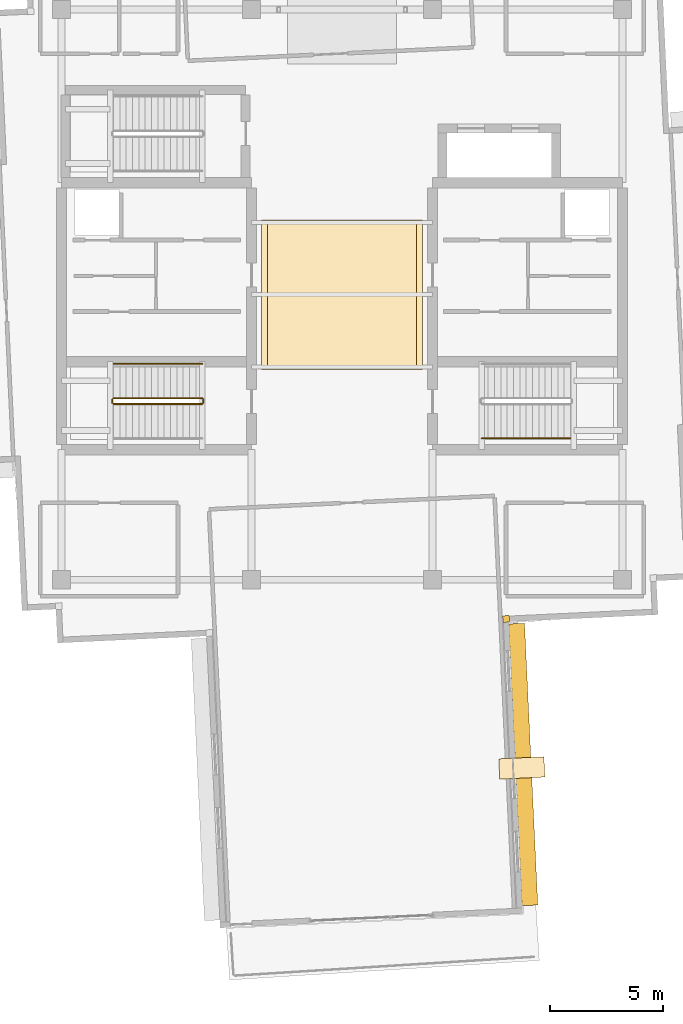
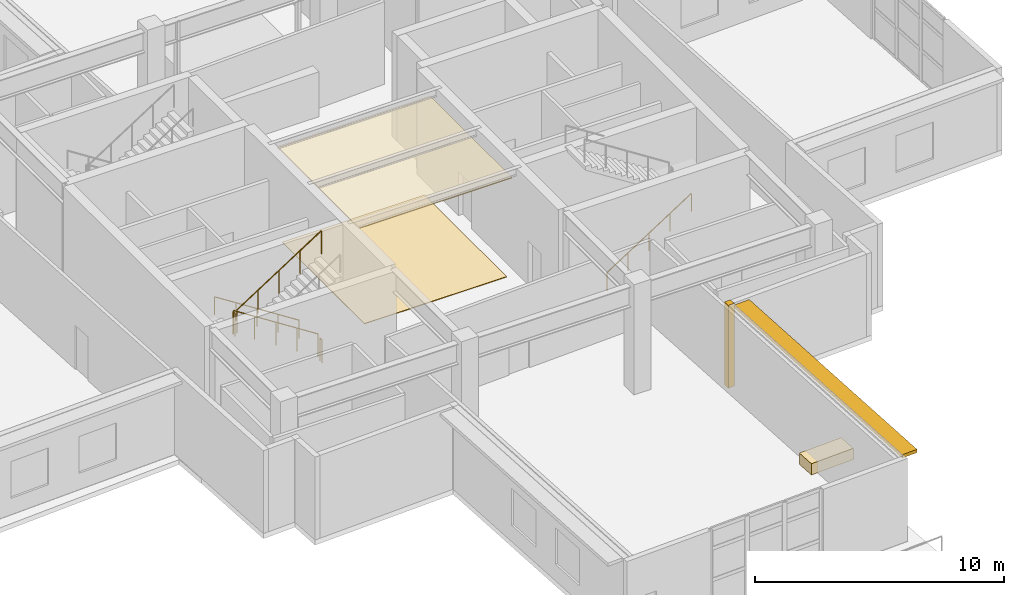
# One storey, part 18 of 22: 6 railings, 4 coverings, 1 shading device.
"""IFC4 building model written with IfcOpenShell, lengths in metres."""

from ifc_helpers import new_model, si_unit, direction, frame, origin, origin_with_axes, origin_2d, place, context, subcontext, project, spatial, rectangle, circle, extrude, material, layer, layer_set, type_object, element, save


model = new_model("IFC4")

# Units and contexts
model_context = context("Model", 3, precision=1e-05, world=origin(), true_north=direction((0.0, 1.0)))
body_context = subcontext(model_context, "Body", "Model", "MODEL_VIEW")
ifc_project = project(units=[si_unit("LENGTHUNIT", "METRE"), si_unit("AREAUNIT", "SQUARE_METRE"), si_unit("VOLUMEUNIT", "CUBIC_METRE"), si_unit("PLANEANGLEUNIT", "RADIAN"), si_unit("MASSUNIT", "GRAM", prefix="KILO")], contexts=[model_context])

# Site, building, storey
site_placement = place(None, origin())
site = spatial("IfcSite", under=ifc_project, at=site_placement, CompositionType="ELEMENT")
building_placement = place(site_placement, origin())
building = spatial("IfcBuilding", under=site, at=building_placement, Name="Qingluan Cross Belvedere", CompositionType="ELEMENT")
storey_placement = place(building_placement, frame((0.0, 0.0, 294.0)))
storey = spatial("IfcBuildingStorey", under=building, at=storey_placement, Name="L73", CompositionType="ELEMENT", Elevation=294.0)

# Coverings
ifc_material_1 = material(Name="Perforated gypsum acoustic ceiling board")
ifc_layer_1 = layer(ifc_material_1, 0.0400390625, Name="AcousticLobbyCeiling_40")
ifc_layer_set_1 = layer_set([ifc_layer_1], Name="Perforated gypsum acoustic ceiling board")
covering_type_1 = type_object("IfcCoveringType", Name="AcousticLobbyCeiling_40", PredefinedType="CEILING", material=ifc_layer_set_1)
covering_1_placement = place(storey_placement, frame((0.0, 0.0, 4.760009765625), z_axis=(0.0, 0.0, 1.0), x_axis=(1.0, 0.0, 0.0)))
element("IfcCovering", 1, at=covering_1_placement, inside=storey, type_object=covering_type_1, Name="Central lobby acoustic ceiling L73", PredefinedType="CEILING", context=body_context, shape_type="SweptSolid", body=[
    extrude(rectangle(XDim=7.10009765625, YDim=6.60009765625, at=origin_2d()), origin(), (0.0, 0.0, 1.0), 0.0400390625),
])
ifc_material_2 = material(Name="Precast concrete C45", Category="concrete")
ifc_layer_2 = layer(ifc_material_2, 0.1201171875, Name="ConcreteSpandrelCladding_120")
ifc_layer_set_2 = layer_set([ifc_layer_2], Name="Precast concrete C45")
covering_type_2 = type_object("IfcCoveringType", Name="ConcreteSpandrelCladding_120", PredefinedType="CLADDING", material=ifc_layer_set_2)
covering_2_placement = place(storey_placement, frame((7.25341796875, -14.334228515625, 0.0), z_axis=(0.0, 0.0, 1.0), x_axis=(0.998889874962, 0.04710645071, 0.0)))
element("IfcCovering", 2, at=covering_2_placement, inside=storey, type_object=covering_type_2, Name="Corner closure L73-SE2", PredefinedType="CLADDING", context=body_context, shape_type="SweptSolid", body=[
    extrude(rectangle(XDim=0.2900390625, YDim=0.2900390625, at=origin_2d()), origin(), (0.0, 0.0, 1.0), 4.06005859375),
])

# Shading device
ifc_material_3 = material(Name="Precast concrete C45", Category="concrete")
ifc_layer_3 = layer(ifc_material_3, 0.139892578125, Name="ConcreteSunshadeBand_700")
ifc_layer_set_3 = layer_set([ifc_layer_3], Name="Precast concrete C45")
shading_device_type = type_object("IfcShadingDeviceType", Name="ConcreteSunshadeBand_700", PredefinedType="USERDEFINED", material=ifc_layer_set_3)
shading_device_placement = place(storey_placement, frame((8.01220703125, -20.765625, 3.8798828125), z_axis=(0.0, 0.0, 1.0), x_axis=(-0.047103529552, 0.998890012716, 0.0)))
element("IfcShadingDevice", 3, at=shading_device_placement, inside=storey, type_object=shading_device_type, Name="Concrete SUNSHADE L73-SB", ObjectType="SUNSHADE", PredefinedType="USERDEFINED", context=body_context, shape_type="SweptSolid", body=[
    extrude(rectangle(XDim=12.469970703125, YDim=0.699951171875, at=origin_2d()), origin(), (0.0, 0.0, 1.0), 0.159912109375),
])

# Covering
ifc_material_4 = material(Name="Honed Hubei grey granite stone flooring", Category="masonry")
ifc_layer_4 = layer(ifc_material_4, 0.030029296875, Name="GraniteLobbyFlooring_30")
ifc_layer_set_4 = layer_set([ifc_layer_4], Name="Honed Hubei grey granite stone flooring")
covering_type_3 = type_object("IfcCoveringType", Name="GraniteLobbyFlooring_30", PredefinedType="FLOORING", material=ifc_layer_set_4)
covering_3_placement = place(storey_placement, origin_with_axes())
element("IfcCovering", 4, at=covering_3_placement, inside=storey, type_object=covering_type_3, Name="Central lobby granite flooring L73", PredefinedType="FLOORING", context=body_context, shape_type="SweptSolid", body=[
    extrude(rectangle(XDim=6.60009765625, YDim=6.60009765625, at=origin_2d()), origin(), (0.0, 0.0, 1.0), 0.030029296875),
])

# Railings
ifc_material_5 = material(Name="Brushed stainless steel tubular handrail", Category="steel")
railing_type_1 = type_object("IfcRailingType", Name="StairPitchHandrail_900", PredefinedType="HANDRAIL", material=ifc_material_5)
railing_1_placement = place(storey_placement, frame((-6.179931640625, -3.050048828125, 0.179931640625)))
element("IfcRailing", 5, at=railing_1_placement, inside=storey, type_object=railing_type_1, Name="L73 ST1 stair handrail 1", PredefinedType="HANDRAIL", context=body_context, shape_type="SweptSolid", body=[
    extrude(circle(Radius=0.02392578125, at=origin_2d()), frame((0.0, 0.0, 0.8759765625), z_axis=(-0.841186985886, 0.0, 0.540744352514), x_axis=(0.0, -1.0, 0.0)), (0.0, 0.0, 1.0), 4.660400390625),
    extrude(circle(Radius=0.02099609375, at=origin_2d()), origin(), (0.0, 0.0, 1.0), 0.851806640625),
    extrude(circle(Radius=0.02099609375, at=origin_2d()), frame((-0.97998046875, 0.0, 0.6298828125)), (0.0, 0.0, 1.0), 0.851806640625),
    extrude(circle(Radius=0.02099609375, at=origin_2d()), frame((-1.9599609375, 0.0, 1.260009765625)), (0.0, 0.0, 1.0), 0.851806640625),
    extrude(circle(Radius=0.02099609375, at=origin_2d()), frame((-2.940185546875, 0.0, 1.89013671875)), (0.0, 0.0, 1.0), 0.851806640625),
    extrude(circle(Radius=0.02099609375, at=origin_2d()), frame((-3.920166015625, 0.0, 2.52001953125)), (0.0, 0.0, 1.0), 0.851806640625),
])
railing_2_placement = place(storey_placement, frame((6.179931640625, -6.35009765625, 0.179931640625)))
element("IfcRailing", 6, at=railing_2_placement, inside=storey, type_object=railing_type_1, Name="L73 ST2 stair handrail 1", PredefinedType="HANDRAIL", context=body_context, shape_type="SweptSolid", body=[
    extrude(circle(Radius=0.02392578125, at=origin_2d()), frame((0.0, 0.0, 0.8759765625), z_axis=(0.841186985886, 0.0, 0.540744352514), x_axis=(0.0, 1.0, 0.0)), (0.0, 0.0, 1.0), 4.660400390625),
    extrude(circle(Radius=0.02099609375, at=origin_2d()), origin(), (0.0, 0.0, 1.0), 0.851806640625),
    extrude(circle(Radius=0.02099609375, at=origin_2d()), frame((0.97998046875, 0.0, 0.6298828125)), (0.0, 0.0, 1.0), 0.851806640625),
    extrude(circle(Radius=0.02099609375, at=origin_2d()), frame((1.9599609375, 0.0, 1.260009765625)), (0.0, 0.0, 1.0), 0.851806640625),
    extrude(circle(Radius=0.02099609375, at=origin_2d()), frame((2.940185546875, 0.0, 1.89013671875)), (0.0, 0.0, 1.0), 0.851806640625),
    extrude(circle(Radius=0.02099609375, at=origin_2d()), frame((3.920166015625, 0.0, 2.52001953125)), (0.0, 0.0, 1.0), 0.851806640625),
])
ifc_material_6 = material(Name="Painted steel stair well guard", Category="steel")
railing_type_2 = type_object("IfcRailingType", Name="StairWellGuard_1150", PredefinedType="BALUSTRADE", material=ifc_material_6)
railing_3_placement = place(storey_placement, frame((-6.179931640625, -4.570068359375, 0.179931640625)))
element("IfcRailing", 7, at=railing_3_placement, inside=storey, type_object=railing_type_2, Name="L73 ST1 stair guard 1", PredefinedType="BALUSTRADE", context=body_context, shape_type="SweptSolid", body=[
    extrude(circle(Radius=0.02392578125, at=origin_2d()), frame((0.0, 0.0, 1.1259765625), z_axis=(-0.841186985886, 0.0, 0.540744352514), x_axis=(0.0, -1.0, 0.0)), (0.0, 0.0, 1.0), 4.660400390625),
    extrude(circle(Radius=0.02099609375, at=origin_2d()), origin(), (0.0, 0.0, 1.0), 1.101806640625),
    extrude(circle(Radius=0.02099609375, at=origin_2d()), frame((-0.97998046875, 0.0, 0.6298828125)), (0.0, 0.0, 1.0), 1.101806640625),
    extrude(circle(Radius=0.02099609375, at=origin_2d()), frame((-1.9599609375, 0.0, 1.260009765625)), (0.0, 0.0, 1.0), 1.101806640625),
    extrude(circle(Radius=0.02099609375, at=origin_2d()), frame((-2.940185546875, 0.0, 1.89013671875)), (0.0, 0.0, 1.0), 1.101806640625),
    extrude(circle(Radius=0.02099609375, at=origin_2d()), frame((-3.920166015625, 0.0, 2.52001953125)), (0.0, 0.0, 1.0), 1.101806640625),
])
railing_4_placement = place(storey_placement, frame((-10.14990234375, -4.6201171875, 2.699951171875)))
element("IfcRailing", 8, at=railing_4_placement, inside=storey, type_object=railing_type_2, Name="L73 ST1 stair guard 2", PredefinedType="BALUSTRADE", context=body_context, shape_type="SweptSolid", body=[
    extrude(circle(Radius=0.02392578125, at=origin_2d()), frame((0.0, 0.0, 1.1259765625), z_axis=(0.0, -1.0, 0.0), x_axis=(1.0, 0.0, 0.0)), (0.0, 0.0, 1.0), 0.159912109375),
    extrude(circle(Radius=0.02099609375, at=origin_2d()), origin(), (0.0, 0.0, 1.0), 1.101806640625),
    extrude(circle(Radius=0.02099609375, at=origin_2d()), frame((0.0, -0.159912109375, 0.0)), (0.0, 0.0, 1.0), 1.101806640625),
])
railing_5_placement = place(storey_placement, frame((-10.10009765625, -4.830078125, 2.8798828125)))
element("IfcRailing", 9, at=railing_5_placement, inside=storey, type_object=railing_type_2, Name="L73 ST1 stair guard 3", PredefinedType="BALUSTRADE", context=body_context, shape_type="SweptSolid", body=[
    extrude(circle(Radius=0.02392578125, at=origin_2d()), frame((0.0, 0.0, 1.1259765625), z_axis=(0.841186985886, 0.0, 0.540744352514), x_axis=(0.0, 1.0, 0.0)), (0.0, 0.0, 1.0), 4.660400390625),
    extrude(circle(Radius=0.02099609375, at=origin_2d()), origin(), (0.0, 0.0, 1.0), 1.101806640625),
    extrude(circle(Radius=0.02099609375, at=origin_2d()), frame((0.97998046875, 0.0, 0.6298828125)), (0.0, 0.0, 1.0), 1.101806640625),
    extrude(circle(Radius=0.02099609375, at=origin_2d()), frame((1.9599609375, 0.0, 1.260009765625)), (0.0, 0.0, 1.0), 1.101806640625),
    extrude(circle(Radius=0.02099609375, at=origin_2d()), frame((2.940185546875, 0.0, 1.89013671875)), (0.0, 0.0, 1.0), 1.101806640625),
    extrude(circle(Radius=0.02099609375, at=origin_2d()), frame((3.920166015625, 0.0, 2.52001953125)), (0.0, 0.0, 1.0), 1.101806640625),
])
railing_6_placement = place(storey_placement, frame((-6.1298828125, -4.6201171875, 0.0)))
element("IfcRailing", 10, at=railing_6_placement, inside=storey, type_object=railing_type_2, Name="L73 ST1 stair guard 4", PredefinedType="BALUSTRADE", context=body_context, shape_type="SweptSolid", body=[
    extrude(circle(Radius=0.02392578125, at=origin_2d()), frame((0.0, 0.0, 1.1259765625), z_axis=(0.0, -1.0, 0.0), x_axis=(1.0, 0.0, 0.0)), (0.0, 0.0, 1.0), 0.159912109375),
    extrude(circle(Radius=0.02099609375, at=origin_2d()), origin(), (0.0, 0.0, 1.0), 1.101806640625),
    extrude(circle(Radius=0.02099609375, at=origin_2d()), frame((0.0, -0.159912109375, 0.0)), (0.0, 0.0, 1.0), 1.101806640625),
])

# Covering
ifc_material_7 = material(Name="Precast concrete C40", Category="concrete")
ifc_layer_5 = layer(ifc_material_7, 0.550048828125, Name="TerracePlanterBox")
ifc_layer_set_5 = layer_set([ifc_layer_5], Name="Precast concrete C40")
covering_type_4 = type_object("IfcCoveringType", Name="TerracePlanterBox", PredefinedType="USERDEFINED", material=ifc_layer_set_5)
covering_4_placement = place(storey_placement, frame((7.948974609375, -20.9189453125, 0.0), z_axis=(0.0, 0.0, 1.0), x_axis=(0.998889874962, 0.04710645071, 0.0)))
element("IfcCovering", 11, at=covering_4_placement, inside=storey, type_object=covering_type_4, Name="Terrace garden planter L73-3", ObjectType="PLANTER", PredefinedType="USERDEFINED", context=body_context, shape_type="SweptSolid", body=[
    extrude(rectangle(XDim=2.0, YDim=0.89990234375, at=origin_2d()), origin(), (0.0, 0.0, 1.0), 0.550048828125),
])

save(model, "model.ifc")
